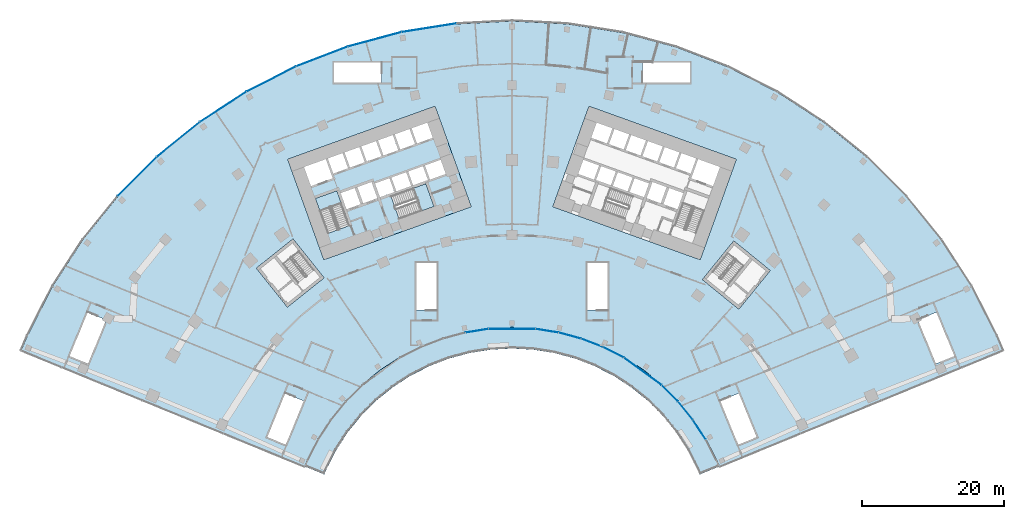
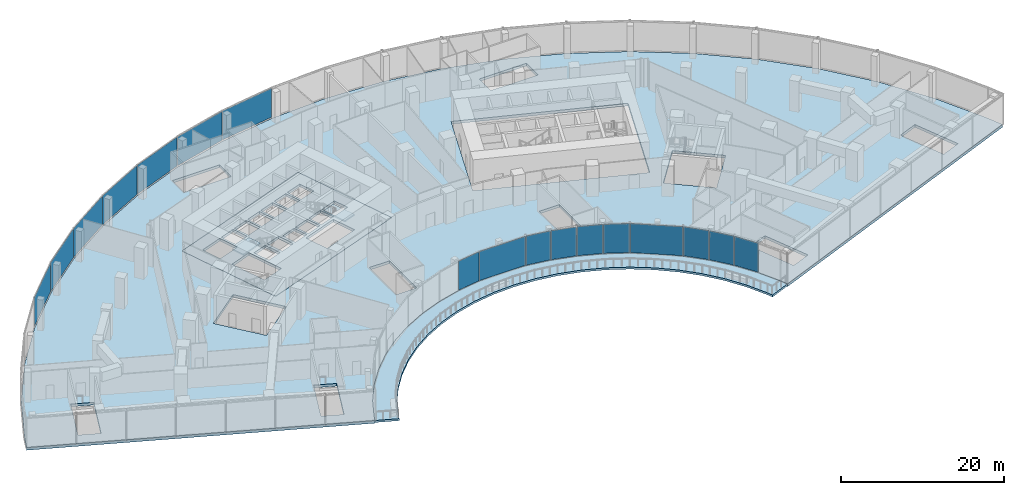
# One storey, part 19 of 33: 17 plates, 5 slabs, 4 elements without a shape of their own.
"""IFC4 building model written with IfcOpenShell, lengths in metres."""

from ifc_helpers import new_model, si_unit, direction, frame, origin, origin_2d, place, context, subcontext, project, spatial, polyline, rectangle, outline, extrude, material, layer, layer_set, type_object, element, aggregate, save


model = new_model("IFC4")

# Units and contexts
model_context = context("Model", 3, precision=1e-05, world=origin(), true_north=direction((0.0, 1.0)))
body_context = subcontext(model_context, "Body", "Model", "MODEL_VIEW")
ifc_project = project(units=[si_unit("LENGTHUNIT", "METRE"), si_unit("AREAUNIT", "SQUARE_METRE"), si_unit("VOLUMEUNIT", "CUBIC_METRE"), si_unit("PLANEANGLEUNIT", "RADIAN"), si_unit("MASSUNIT", "GRAM", prefix="KILO")], contexts=[model_context])

# Site, building, storey
site_placement = place(None, origin())
site = spatial("IfcSite", under=ifc_project, at=site_placement, CompositionType="ELEMENT")
building_placement = place(site_placement, origin())
building = spatial("IfcBuilding", under=site, at=building_placement, Name="Stone Belt Terrace Tower", CompositionType="ELEMENT")
storey_placement = place(building_placement, frame((0.0, 0.0, 25.39990234375)))
storey = spatial("IfcBuildingStorey", under=building, at=storey_placement, Name="L05", CompositionType="ELEMENT", Elevation=25.39990234375)

# Curtain wall, plates
ifc_material_1 = material(Name="Aluminium 6063-T6 anodised frame", Category="aluminium")
ifc_layer_1 = layer(ifc_material_1, 0.14990234375)
ifc_layer_set_1 = layer_set([ifc_layer_1], Name="CW-D podium shopfront")
curtain_wall_type = type_object("IfcCurtainWallType", Name="CW-D podium shopfront", PredefinedType="NOTDEFINED", material=ifc_layer_set_1)
curtain_wall_1_placement = place(storey_placement, origin())
curtain_wall_1 = element("IfcCurtainWall", 1, at=curtain_wall_1_placement, inside=storey, type_object=curtain_wall_type, Name="CW-D concave face L05", PredefinedType="NOTDEFINED")
ifc_material_2 = material(Name="Clear double glazed unit")
ifc_layer_2 = layer(ifc_material_2, 0.031982421875)
ifc_layer_set_2 = layer_set([ifc_layer_2], Name="CW-D glass panel 32")
plate_type = type_object("IfcPlateType", Name="CW-D glass panel 32", PredefinedType="CURTAIN_PANEL", material=ifc_layer_set_2)
plate_1_placement = place(storey_placement, frame((-4.9111328125, 30.9951171875, 0.14013671875), z_axis=(0.0, 0.0, 1.0), x_axis=(0.987688340595, 0.15643446504, 0.0)))
plate_1 = element("IfcPlate", 2, at=plate_1_placement, type_object=plate_type, Name="CW-D panel 10.1", PredefinedType="CURTAIN_PANEL", context=body_context, shape_type="SweptSolid", body=[
    extrude(rectangle(XDim=3.2177734375, YDim=0.031982421875, at=origin_2d()), origin(), (0.0, 0.0, 1.0), 4.320068359375),
])
plate_2_placement = place(storey_placement, frame((0.0, 31.25244140625, 0.14013671875), z_axis=(0.0, 0.0, 1.0), x_axis=(1.0, 0.0, 0.0)))
plate_2 = element("IfcPlate", 3, at=plate_2_placement, type_object=plate_type, Name="CW-D panel 11.1", PredefinedType="CURTAIN_PANEL", context=body_context, shape_type="SweptSolid", body=[
    extrude(rectangle(XDim=6.501953125, YDim=0.031982421875, at=origin_2d()), origin(), (0.0, 0.0, 1.0), 4.320068359375),
])
plate_3_placement = place(storey_placement, frame((4.9111328125, 30.9951171875, 0.14013671875), z_axis=(0.0, 0.0, 1.0), x_axis=(0.987688340595, -0.15643446504, 0.0)))
plate_3 = element("IfcPlate", 4, at=plate_3_placement, type_object=plate_type, Name="CW-D panel 12.1", PredefinedType="CURTAIN_PANEL", context=body_context, shape_type="SweptSolid", body=[
    extrude(rectangle(XDim=3.2177734375, YDim=0.031982421875, at=origin_2d()), origin(), (0.0, 0.0, 1.0), 4.320068359375),
])
plate_4_placement = place(storey_placement, frame((8.122314453125, 30.3125, 0.14013671875), z_axis=(0.0, 0.0, 1.0), x_axis=(0.965925826289, -0.258819045103, 0.0)))
plate_4 = element("IfcPlate", 5, at=plate_4_placement, type_object=plate_type, Name="CW-D panel 13.1", PredefinedType="CURTAIN_PANEL", context=body_context, shape_type="SweptSolid", body=[
    extrude(rectangle(XDim=3.221435546875, YDim=0.031982421875, at=origin_2d()), origin(), (0.0, 0.0, 1.0), 4.320068359375),
])
plate_5_placement = place(storey_placement, frame((11.246337890625, 29.29736328125, 0.14013671875), z_axis=(0.0, 0.0, 1.0), x_axis=(0.933580426497, -0.358367949545, 0.0)))
plate_5 = element("IfcPlate", 6, at=plate_5_placement, type_object=plate_type, Name="CW-D panel 14.1", PredefinedType="CURTAIN_PANEL", context=body_context, shape_type="SweptSolid", body=[
    extrude(rectangle(XDim=3.221435546875, YDim=0.031982421875, at=origin_2d()), origin(), (0.0, 0.0, 1.0), 4.320068359375),
])
plate_6_placement = place(storey_placement, frame((14.245361328125, 27.96240234375, 0.14013671875), z_axis=(0.0, 0.0, 1.0), x_axis=(0.891006524188, -0.45399049974, 0.0)))
plate_6 = element("IfcPlate", 7, at=plate_6_placement, type_object=plate_type, Name="CW-D panel 15.1", PredefinedType="CURTAIN_PANEL", context=body_context, shape_type="SweptSolid", body=[
    extrude(rectangle(XDim=3.2177734375, YDim=0.031982421875, at=origin_2d()), origin(), (0.0, 0.0, 1.0), 4.320068359375),
])
plate_7_placement = place(storey_placement, frame((18.36962890625, 25.28369140625, 0.14013671875), z_axis=(0.0, 0.0, 1.0), x_axis=(0.809016994375, -0.587785252292, 0.0)))
plate_7 = element("IfcPlate", 8, at=plate_7_placement, type_object=plate_type, Name="CW-D panel 16.1", PredefinedType="CURTAIN_PANEL", context=body_context, shape_type="SweptSolid", body=[
    extrude(rectangle(XDim=6.501953125, YDim=0.031982421875, at=origin_2d()), origin(), (0.0, 0.0, 1.0), 4.320068359375),
])
plate_8_placement = place(storey_placement, frame((22.191650390625, 22.18896484375, 0.14013671875), z_axis=(0.0, 0.0, 1.0), x_axis=(0.707106781187, -0.707106781187, 0.0)))
plate_8 = element("IfcPlate", 9, at=plate_8_placement, type_object=plate_type, Name="CW-D panel 17.1", PredefinedType="CURTAIN_PANEL", context=body_context, shape_type="SweptSolid", body=[
    extrude(rectangle(XDim=3.2177734375, YDim=0.031982421875, at=origin_2d()), origin(), (0.0, 0.0, 1.0), 4.320068359375),
])
plate_9_placement = place(storey_placement, frame((24.38818359375, 19.749267578125, 0.14013671875), z_axis=(0.0, 0.0, 1.0), x_axis=(0.62932039105, -0.777145961457, 0.0)))
plate_9 = element("IfcPlate", 10, at=plate_9_placement, type_object=plate_type, Name="CW-D panel 18.1", PredefinedType="CURTAIN_PANEL", context=body_context, shape_type="SweptSolid", body=[
    extrude(rectangle(XDim=3.221435546875, YDim=0.031982421875, at=origin_2d()), origin(), (0.0, 0.0, 1.0), 4.320068359375),
])
plate_10_placement = place(storey_placement, frame((26.319091796875, 17.091796875, 0.14013671875), z_axis=(0.0, 0.0, 1.0), x_axis=(0.544639035015, -0.838670567945, 0.0)))
plate_10 = element("IfcPlate", 11, at=plate_10_placement, type_object=plate_type, Name="CW-D panel 19.1", PredefinedType="CURTAIN_PANEL", context=body_context, shape_type="SweptSolid", body=[
    extrude(rectangle(XDim=3.221435546875, YDim=0.031982421875, at=origin_2d()), origin(), (0.0, 0.0, 1.0), 4.320068359375),
])
aggregate(curtain_wall_1, [plate_1, plate_2, plate_3, plate_4, plate_5, plate_6, plate_7, plate_8, plate_9, plate_10])

curtain_wall_2_placement = place(storey_placement, origin())
curtain_wall_2 = element("IfcCurtainWall", 12, at=curtain_wall_2_placement, inside=storey, type_object=curtain_wall_type, Name="CW-D convex face L05", PredefinedType="NOTDEFINED")
plate_11_placement = place(storey_placement, frame((-11.650146484375, 73.555908203125, 0.14013671875), z_axis=(0.0, 0.0, 1.0), x_axis=(-0.987688340595, -0.15643446504, 0.0)))
plate_11 = element("IfcPlate", 13, at=plate_11_placement, type_object=plate_type, Name="CW-D panel 14.1", PredefinedType="CURTAIN_PANEL", context=body_context, shape_type="SweptSolid", body=[
    extrude(rectangle(XDim=7.738037109375, YDim=0.031982421875, at=origin_2d()), origin(), (0.0, 0.0, 1.0), 4.320068359375),
])
plate_12_placement = place(storey_placement, frame((-19.27490234375, 71.935302734375, 0.14013671875), z_axis=(0.0, 0.0, 1.0), x_axis=(-0.965925826289, -0.258819045103, 0.0)))
plate_12 = element("IfcPlate", 14, at=plate_12_placement, type_object=plate_type, Name="CW-D panel 15.1", PredefinedType="CURTAIN_PANEL", context=body_context, shape_type="SweptSolid", body=[
    extrude(rectangle(XDim=7.738037109375, YDim=0.031982421875, at=origin_2d()), origin(), (0.0, 0.0, 1.0), 4.320068359375),
])
plate_13_placement = place(storey_placement, frame((-26.688720703125, 69.5263671875, 0.14013671875), z_axis=(0.0, 0.0, 1.0), x_axis=(-0.933580426497, -0.358367949545, 0.0)))
plate_13 = element("IfcPlate", 15, at=plate_13_placement, type_object=plate_type, Name="CW-D panel 16.1", PredefinedType="CURTAIN_PANEL", context=body_context, shape_type="SweptSolid", body=[
    extrude(rectangle(XDim=7.738037109375, YDim=0.031982421875, at=origin_2d()), origin(), (0.0, 0.0, 1.0), 4.320068359375),
])
plate_14_placement = place(storey_placement, frame((-33.81005859375, 66.35595703125, 0.14013671875), z_axis=(0.0, 0.0, 1.0), x_axis=(-0.891006524188, -0.45399049974, 0.0)))
plate_14 = element("IfcPlate", 16, at=plate_14_placement, type_object=plate_type, Name="CW-D panel 17.1", PredefinedType="CURTAIN_PANEL", context=body_context, shape_type="SweptSolid", body=[
    extrude(rectangle(XDim=7.738037109375, YDim=0.031982421875, at=origin_2d()), origin(), (0.0, 0.0, 1.0), 4.320068359375),
])
plate_15_placement = place(storey_placement, frame((-40.560791015625, 62.458251953125, 0.14013671875), z_axis=(0.0, 0.0, 1.0), x_axis=(-0.838670567945, -0.544639035015, 0.0)))
plate_15 = element("IfcPlate", 17, at=plate_15_placement, type_object=plate_type, Name="CW-D panel 18.1", PredefinedType="CURTAIN_PANEL", context=body_context, shape_type="SweptSolid", body=[
    extrude(rectangle(XDim=7.738037109375, YDim=0.031982421875, at=origin_2d()), origin(), (0.0, 0.0, 1.0), 4.320068359375),
])
plate_16_placement = place(storey_placement, frame((-46.867431640625, 57.876220703125, 0.14013671875), z_axis=(0.0, 0.0, 1.0), x_axis=(-0.777145961457, -0.62932039105, 0.0)))
plate_16 = element("IfcPlate", 18, at=plate_16_placement, type_object=plate_type, Name="CW-D panel 19.1", PredefinedType="CURTAIN_PANEL", context=body_context, shape_type="SweptSolid", body=[
    extrude(rectangle(XDim=7.738037109375, YDim=0.031982421875, at=origin_2d()), origin(), (0.0, 0.0, 1.0), 4.320068359375),
])
plate_17_placement = place(storey_placement, frame((-52.660400390625, 52.660400390625, 0.14013671875), z_axis=(0.0, 0.0, 1.0), x_axis=(-0.707106781187, -0.707106781187, 0.0)))
plate_17 = element("IfcPlate", 19, at=plate_17_placement, type_object=plate_type, Name="CW-D panel 20.1", PredefinedType="CURTAIN_PANEL", context=body_context, shape_type="SweptSolid", body=[
    extrude(rectangle(XDim=7.738037109375, YDim=0.031982421875, at=origin_2d()), origin(), (0.0, 0.0, 1.0), 4.320068359375),
])
aggregate(curtain_wall_2, [plate_11, plate_12, plate_13, plate_14, plate_15, plate_16, plate_17])

# Slabs
ifc_material_3 = material(Name="Concrete B40", Category="concrete")
ifc_layer_3 = layer(ifc_material_3, 0.39990234375)
ifc_layer_set_3 = layer_set([ifc_layer_3], Name="Core floor slab 400")
slab_type_1 = type_object("IfcSlabType", Name="Core floor slab 400", PredefinedType="FLOOR", material=ifc_layer_set_3)
slab_1_placement = place(storey_placement, frame((0.0, 0.0, -0.39990234375)))
element("IfcSlab", 20, at=slab_1_placement, inside=storey, type_object=slab_type_1, Name="Core A floor L05", PredefinedType="FLOOR", context=body_context, shape_type="SweptSolid", body=[
    extrude(outline(polyline([(-26.43505859375, 40.968994140625), (-5.735107421875, 48.4189453125), (-10.81396484375, 62.531982421875), (-31.513916015625, 55.0830078125), (-26.43505859375, 40.968994140625)]), holes=[polyline([(-24.60791015625, 50.659912109375), (-22.847900390625, 45.76806640625), (-25.85888671875, 44.68408203125), (-27.618896484375, 49.575927734375), (-24.60791015625, 50.659912109375)]), polyline([(-21.27392578125, 48.778076171875), (-23.25, 48.06689453125), (-24.06298828125, 50.324951171875), (-22.0869140625, 51.035888671875), (-21.27392578125, 48.778076171875)]), polyline([(-18.922119140625, 49.6240234375), (-20.89794921875, 48.9130859375), (-21.7109375, 51.1708984375), (-19.735107421875, 51.883056640625), (-18.922119140625, 49.6240234375)]), polyline([(-19.239990234375, 51.68896484375), (-17.217041015625, 52.4169921875), (-16.52294921875, 50.488037109375), (-18.5458984375, 49.760009765625), (-19.239990234375, 51.68896484375)]), polyline([(-29.2109375, 53.9990234375), (-26.153076171875, 55.09912109375), (-25.18798828125, 52.41796875), (-28.24609375, 51.31689453125), (-29.2109375, 53.9990234375)]), polyline([(-23.801025390625, 55.946044921875), (-23.0390625, 53.8291015625), (-25.10888671875, 53.083984375), (-25.87109375, 55.200927734375), (-23.801025390625, 55.946044921875)]), polyline([(-21.447998046875, 56.7919921875), (-20.68603515625, 54.675048828125), (-22.756103515625, 53.929931640625), (-23.51806640625, 56.047119140625), (-21.447998046875, 56.7919921875)]), polyline([(-19.095947265625, 57.638916015625), (-18.333984375, 55.52197265625), (-20.404052734375, 54.777099609375), (-21.166015625, 56.89404296875), (-19.095947265625, 57.638916015625)]), polyline([(-15.846923828125, 46.69189453125), (-16.998046875, 49.89208984375), (-12.10595703125, 51.652099609375), (-10.955078125, 48.452880859375), (-15.846923828125, 46.69189453125)]), polyline([(-16.239990234375, 50.589111328125), (-16.93408203125, 52.51806640625), (-14.864013671875, 53.262939453125), (-14.169921875, 51.333984375), (-16.239990234375, 50.589111328125)]), polyline([(-11.801025390625, 52.134033203125), (-11.847900390625, 52.116943359375), (-11.864990234375, 52.1640625), (-13.887939453125, 51.43603515625), (-14.58203125, 53.364990234375), (-12.511962890625, 54.110107421875), (-11.801025390625, 52.134033203125)]), polyline([(-9.30810546875, 53.031005859375), (-11.51904296875, 52.235107421875), (-12.22998046875, 54.2109375), (-10.01904296875, 55.007080078125), (-9.30810546875, 53.031005859375)]), polyline([(-16.743896484375, 58.485107421875), (-15.98193359375, 56.367919921875), (-18.052001953125, 55.623046875), (-18.81396484375, 57.739990234375), (-16.743896484375, 58.485107421875)]), polyline([(-14.39111328125, 59.33203125), (-13.6298828125, 57.215087890625), (-15.699951171875, 56.469970703125), (-16.4609375, 58.5869140625), (-14.39111328125, 59.33203125)]), polyline([(-11.89794921875, 60.22900390625), (-11.135986328125, 58.112060546875), (-13.346923828125, 57.31591796875), (-14.10888671875, 59.43408203125), (-11.89794921875, 60.22900390625)])]), origin(), (0.0, 0.0, 1.0), 0.39990234375),
])
ifc_layer_4 = layer(ifc_material_3, 0.39990234375)
ifc_layer_set_4 = layer_set([ifc_layer_4], Name="Floor slab 400 B40")
slab_type_2 = type_object("IfcSlabType", Name="Floor slab 400 B40", PredefinedType="FLOOR", material=ifc_layer_set_4)
slab_2_placement = place(storey_placement, frame((0.0, 0.0, -0.39990234375)))
element("IfcSlab", 21, at=slab_2_placement, inside=storey, type_object=slab_type_2, Name="Floor slab L05", PredefinedType="FLOOR", context=body_context, shape_type="SweptSolid", body=[
    extrude(outline(polyline([(-7.787353515625, 74.091796875), (0.0, 74.5), (7.787353515625, 74.091796875), (15.489501953125, 72.8720703125), (23.021728515625, 70.853759765625), (30.302001953125, 68.05908203125), (37.25, 64.518798828125), (43.7900390625, 60.271728515625), (49.85009765625, 55.3642578125), (55.3642578125, 49.85009765625), (60.271728515625, 43.7900390625), (64.518798828125, 37.25), (68.05908203125, 30.302001953125), (68.9345703125, 28.253662109375), (29.14697265625, 11.9462890625), (28.776611328125, 12.812255859375), (27.27978515625, 15.75), (25.48388671875, 18.51513671875), (23.4091796875, 21.07763671875), (21.07763671875, 23.4091796875), (18.51513671875, 25.48388671875), (15.75, 27.27978515625), (12.812255859375, 28.776611328125), (9.73388671875, 29.958251953125), (6.54931640625, 30.8115234375), (3.29248046875, 31.327392578125), (0.0, 31.5), (-3.29248046875, 31.327392578125), (-6.54931640625, 30.8115234375), (-9.73388671875, 29.958251953125), (-12.812255859375, 28.776611328125), (-15.75, 27.27978515625), (-18.51513671875, 25.48388671875), (-21.07763671875, 23.4091796875), (-23.4091796875, 21.07763671875), (-25.48388671875, 18.51513671875), (-27.27978515625, 15.75), (-28.776611328125, 12.812255859375), (-29.14697265625, 11.9462890625), (-68.9345703125, 28.253662109375), (-68.05908203125, 30.302001953125), (-64.518798828125, 37.25), (-60.271728515625, 43.7900390625), (-55.3642578125, 49.85009765625), (-49.85009765625, 55.3642578125), (-43.7900390625, 60.271728515625), (-37.25, 64.518798828125), (-30.302001953125, 68.05908203125), (-23.021728515625, 70.853759765625), (-15.489501953125, 72.8720703125), (-7.787353515625, 74.091796875)]), holes=[polyline([(-26.434814453125, 40.968994140625), (-5.734619140625, 48.418701171875), (-10.81396484375, 62.532470703125), (-31.51416015625, 55.082763671875), (-26.434814453125, 40.968994140625)]), polyline([(10.81396484375, 62.532470703125), (5.734619140625, 48.418701171875), (26.434814453125, 40.968994140625), (31.51416015625, 55.082763671875), (10.81396484375, 62.532470703125)]), polyline([(-31.77099609375, 14.969970703125), (-29.243896484375, 21.135986328125), (-31.881103515625, 22.217041015625), (-34.407958984375, 16.051025390625), (-31.77099609375, 14.969970703125)]), polyline([(-62.1669921875, 27.427978515625), (-59.530029296875, 26.347900390625), (-57.0029296875, 32.513916015625), (-59.639892578125, 33.594970703125), (-62.1669921875, 27.427978515625)]), polyline([(29.243896484375, 21.135986328125), (31.77099609375, 14.969970703125), (34.407958984375, 16.051025390625), (31.881103515625, 22.217041015625), (29.243896484375, 21.135986328125)]), polyline([(59.639892578125, 33.594970703125), (57.0029296875, 32.513916015625), (59.530029296875, 26.347900390625), (62.1669921875, 27.427978515625), (59.639892578125, 33.594970703125)]), polyline([(-13.425048828125, 40.556884765625), (-13.425048828125, 33.89306640625), (-10.574951171875, 33.89306640625), (-10.574951171875, 40.556884765625), (-13.425048828125, 40.556884765625)]), polyline([(13.425048828125, 40.556884765625), (10.574951171875, 40.556884765625), (10.574951171875, 33.89306640625), (13.425048828125, 33.89306640625), (13.425048828125, 40.556884765625)]), polyline([(-18.343017578125, 68.675048828125), (-25.007080078125, 68.675048828125), (-25.007080078125, 65.824951171875), (-18.343017578125, 65.824951171875), (-18.343017578125, 68.675048828125)]), polyline([(18.343017578125, 68.675048828125), (18.343017578125, 65.824951171875), (25.007080078125, 65.824951171875), (25.007080078125, 68.675048828125), (18.343017578125, 68.675048828125)]), polyline([(-35.91796875, 39.787353515625), (-31.55615234375, 34.3125), (-26.39404296875, 38.425048828125), (-30.756103515625, 43.89990234375), (-35.91796875, 39.787353515625)]), polyline([(36.2783203125, 39.459228515625), (31.15380859375, 43.61865234375), (26.742431640625, 38.18359375), (31.86669921875, 34.024169921875), (36.2783203125, 39.459228515625)])]), origin(), (0.0, 0.0, 1.0), 0.39990234375),
])

# Stair, slab
stair_type = type_object("IfcStairType", Name="Exit stair 1500", PredefinedType="HALF_TURN_STAIR", material=ifc_material_3)
stair_1_placement = place(storey_placement, origin())
stair_1 = element("IfcStair", 22, at=stair_1_placement, inside=storey, type_object=stair_type, Name="L05 Exit stair 1 core A", PredefinedType="HALF_TURN_STAIR")
ifc_layer_5 = layer(ifc_material_3, 0.199951171875)
ifc_layer_set_5 = layer_set([ifc_layer_5], Name="Stair landing 200")
slab_type_3 = type_object("IfcSlabType", Name="Stair landing 200", PredefinedType="LANDING", material=ifc_layer_set_5)
slab_3_placement = place(storey_placement, frame((0.0, 0.0, 2.10009765625)))
slab_3 = element("IfcSlab", 23, at=slab_3_placement, type_object=slab_type_3, Name="ST1A landing 1", PredefinedType="LANDING", context=body_context, shape_type="SweptSolid", body=[
    extrude(outline(polyline([(-23.985107421875, 48.927734375), (-24.6083984375, 50.659912109375), (-27.619384765625, 49.576171875), (-26.99609375, 47.84423828125), (-23.985107421875, 48.927734375)])), origin(), (0.0, 0.0, 1.0), 0.199951171875),
])
aggregate(stair_1, [slab_3])

stair_2_placement = place(storey_placement, origin())
stair_2 = element("IfcStair", 24, at=stair_2_placement, inside=storey, type_object=stair_type, Name="L05 Exit stair 2 core A", PredefinedType="HALF_TURN_STAIR")
slab_4_placement = place(storey_placement, frame((0.0, 0.0, 2.10009765625)))
slab_4 = element("IfcSlab", 25, at=slab_4_placement, type_object=slab_type_3, Name="ST2A landing 1", PredefinedType="LANDING", context=body_context, shape_type="SweptSolid", body=[
    extrude(outline(polyline([(-12.6865234375, 47.82958984375), (-10.95458984375, 48.453125), (-12.10595703125, 51.652099609375), (-13.837890625, 51.02880859375), (-12.6865234375, 47.82958984375)])), origin(), (0.0, 0.0, 1.0), 0.199951171875),
])
aggregate(stair_2, [slab_4])

# Slab
ifc_layer_6 = layer(ifc_material_3, 0.300048828125)
ifc_layer_set_6 = layer_set([ifc_layer_6], Name="Terrace slab 300 B40")
slab_type_4 = type_object("IfcSlabType", Name="Terrace slab 300 B40", PredefinedType="FLOOR", material=ifc_layer_set_6)
slab_5_placement = place(storey_placement, frame((0.0, 0.0, -0.2998046875)))
element("IfcSlab", 26, at=slab_5_placement, inside=storey, type_object=slab_type_4, Name="Terrace slab L05-podium_terrace-1", PredefinedType="FLOOR", context=body_context, shape_type="SweptSolid", body=[
    extrude(outline(polyline([(26.37109375, 10.808349609375), (29.14697265625, 11.9462890625), (28.776611328125, 12.812255859375), (27.27978515625, 15.75), (25.48388671875, 18.51513671875), (23.4091796875, 21.07763671875), (21.07763671875, 23.4091796875), (18.51513671875, 25.48388671875), (15.75, 27.27978515625), (12.812255859375, 28.776611328125), (9.73388671875, 29.958251953125), (6.54931640625, 30.8115234375), (3.29248046875, 31.327392578125), (0.0, 31.5), (-3.29248046875, 31.327392578125), (-6.54931640625, 30.8115234375), (-9.73388671875, 29.958251953125), (-12.812255859375, 28.776611328125), (-15.75, 27.27978515625), (-18.51513671875, 25.48388671875), (-21.07763671875, 23.4091796875), (-23.4091796875, 21.07763671875), (-25.48388671875, 18.51513671875), (-27.27978515625, 15.75), (-28.776611328125, 12.812255859375), (-29.14697265625, 11.9462890625), (-26.37109375, 10.808349609375), (-26.035888671875, 11.592041015625), (-24.681640625, 14.25), (-23.056884765625, 16.751953125), (-21.1796875, 19.0703125), (-19.0703125, 21.1796875), (-16.751953125, 23.056884765625), (-14.25, 24.681640625), (-11.592041015625, 26.035888671875), (-8.806884765625, 27.10498046875), (-5.925537109375, 27.877197265625), (-2.97900390625, 28.343994140625), (0.0, 28.5), (2.97900390625, 28.343994140625), (5.925537109375, 27.877197265625), (8.806884765625, 27.10498046875), (11.592041015625, 26.035888671875), (14.25, 24.681640625), (16.751953125, 23.056884765625), (19.0703125, 21.1796875), (21.1796875, 19.0703125), (23.056884765625, 16.751953125), (24.681640625, 14.25), (26.035888671875, 11.592041015625), (26.37109375, 10.808349609375)])), origin(), (0.0, 0.0, 1.0), 0.2998046875),
])

save(model, "model.ifc")
